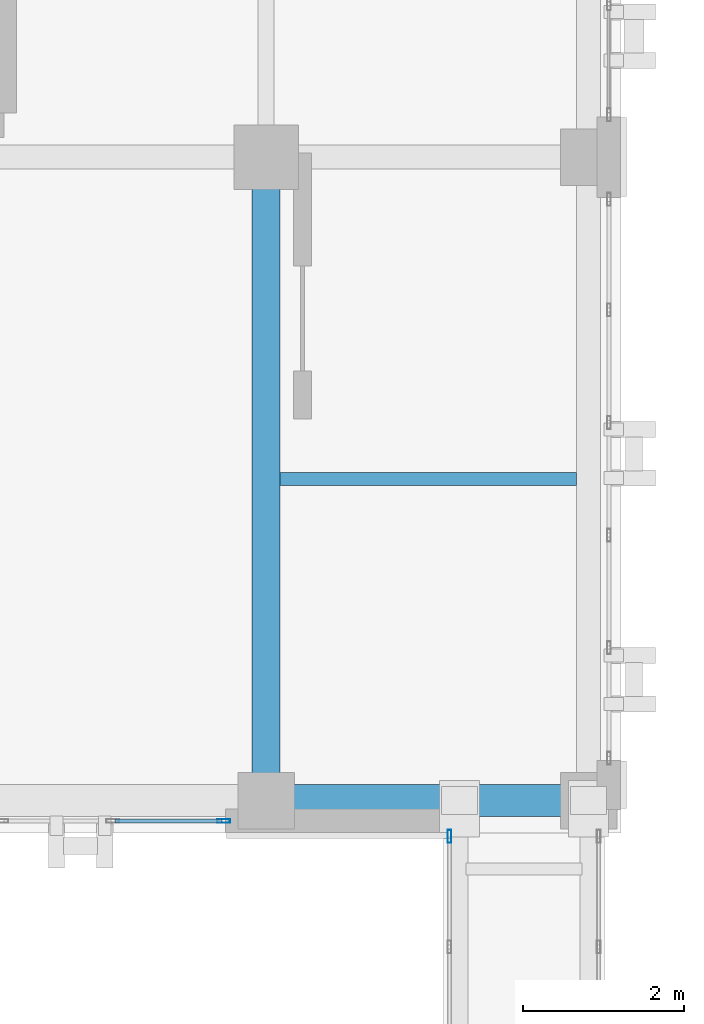
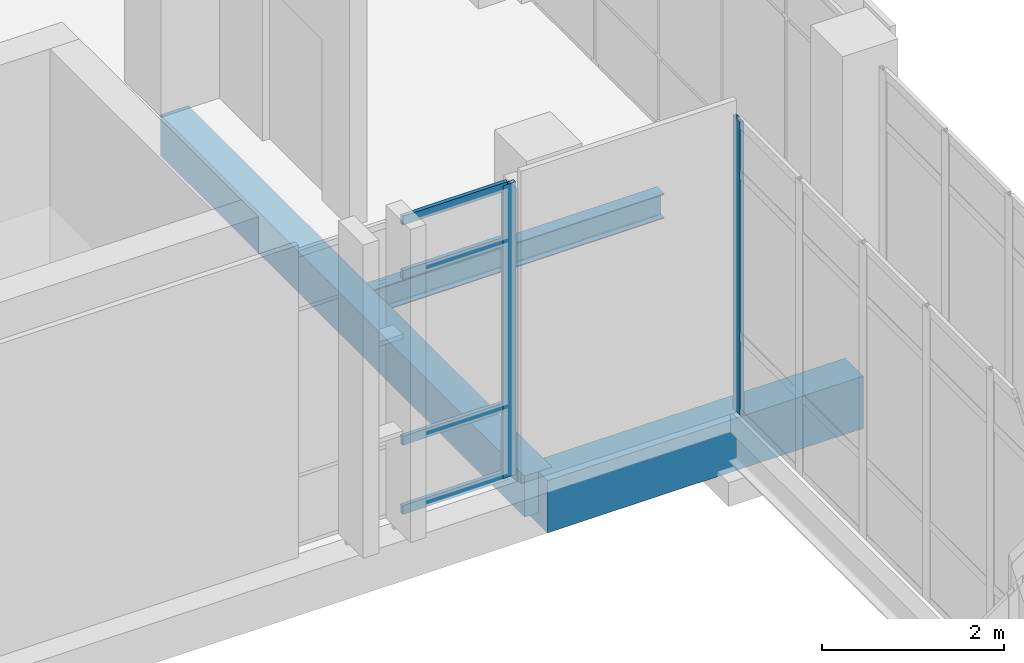
# One storey, part 23 of 165: 6 members, 3 beams, 2 elements without a shape of their own.
"""IFC4 building model written with IfcOpenShell, lengths in metres."""

from ifc_helpers import new_model, si_unit, direction, frame, origin, origin_2d, place, context, subcontext, project, spatial, rectangle, hollow_rectangle, i_section, extrude, material, layer, layer_set, material_profile, profile_set, type_object, element, aggregate, save


model = new_model("IFC4")

# Units and contexts
model_context = context("Model", 3, precision=1e-05, world=origin(), true_north=direction((0.0, 1.0)))
body_context = subcontext(model_context, "Body", "Model", "MODEL_VIEW")
ifc_project = project(units=[si_unit("LENGTHUNIT", "METRE"), si_unit("AREAUNIT", "SQUARE_METRE"), si_unit("VOLUMEUNIT", "CUBIC_METRE"), si_unit("PLANEANGLEUNIT", "RADIAN"), si_unit("MASSUNIT", "GRAM", prefix="KILO")], contexts=[model_context])

# Site, building, storey
site_placement = place(None, origin())
site = spatial("IfcSite", under=ifc_project, at=site_placement, CompositionType="ELEMENT")
building_placement = place(site_placement, origin())
building = spatial("IfcBuilding", under=site, at=building_placement, Name="Qalavern Law Courts", CompositionType="ELEMENT")
storey_placement = place(building_placement, frame((0.0, 0.0, 14.39990234375)))
storey = spatial("IfcBuildingStorey", under=building, at=storey_placement, Name="L03", CompositionType="ELEMENT", Elevation=14.39990234375)

# Curtain wall, member
ifc_material_1 = material(Name="Anodised aluminium and insulated glazing", Category="aluminium")
ifc_layer_1 = layer(ifc_material_1, 0.172119140625)
ifc_layer_set_1 = layer_set([ifc_layer_1], Name="Anodised aluminium and insulated glazing")
curtain_wall_type_1 = type_object("IfcCurtainWallType", Name="ENV-CW-COURT", PredefinedType="USERDEFINED", material=ifc_layer_set_1)
curtain_wall_1_placement = place(storey_placement, origin())
curtain_wall_1 = element("IfcCurtainWall", 1, at=curtain_wall_1_placement, inside=storey, type_object=curtain_wall_type_1, Name="V3 unitised curtain wall L03 south 1", ObjectType="UNITISED CURTAIN WALL", PredefinedType="USERDEFINED")
ifc_material_2 = material(Name="Anodised aluminium", Category="aluminium")
ifc_material_profile_1 = material_profile(ifc_material_2, hollow_rectangle(XDim=0.048095703125, YDim=0.159912109375, WallThickness=0.00390625, at=origin_2d()), Name="ALU MULLION 48x160")
ifc_profile_set_1 = profile_set([ifc_material_profile_1], Name="Anodised aluminium")
member_type_1 = type_object("IfcMemberType", Name="ENV-CWM-48x160", PredefinedType="MULLION", material=ifc_profile_set_1)
member_1_placement = place(storey_placement, frame((13.8759765625, 41.16748046875, 0.0), z_axis=(0.0, 0.0, 1.0), x_axis=(0.0, 1.0, 0.0)))
member_1 = element("IfcMember", 2, at=member_1_placement, type_object=member_type_1, Name="CW-03 mullion 3", PredefinedType="MULLION", context=body_context, shape_type="SweptSolid", body=[
    extrude(hollow_rectangle(XDim=0.048095703125, YDim=0.159912109375, WallThickness=0.00390625, at=origin_2d()), origin(), (0.0, 0.0, 1.0), 3.920166015625),
])

ifc_layer_2 = layer(ifc_material_1, 0.14990234375)
ifc_layer_set_2 = layer_set([ifc_layer_2], Name="Anodised aluminium and insulated glazing")
curtain_wall_type_2 = type_object("IfcCurtainWallType", Name="ENV-CW-BRG", PredefinedType="USERDEFINED", material=ifc_layer_set_2)
curtain_wall_2_placement = place(storey_placement, origin())
curtain_wall_2 = element("IfcCurtainWall", 3, at=curtain_wall_2_placement, inside=storey, type_object=curtain_wall_type_2, Name="Bridge BR-V1-V3 glazed curtain wall L03-1", ObjectType="UNITISED CURTAIN WALL", PredefinedType="USERDEFINED")
member_2_placement = place(storey_placement, frame((16.675048828125, 40.97607421875, 0.0), z_axis=(0.0, 0.0, 1.0), x_axis=(1.0, 0.0, 0.0)))
member_2 = element("IfcMember", 4, at=member_2_placement, type_object=member_type_1, Name="CW-06 mullion 1", PredefinedType="MULLION", context=body_context, shape_type="SweptSolid", body=[
    extrude(hollow_rectangle(XDim=0.048095703125, YDim=0.159912109375, WallThickness=0.00390625, at=origin_2d()), origin(), (0.0, 0.0, 1.0), 3.920166015625),
])
aggregate(curtain_wall_2, [member_2])

# Member
ifc_material_profile_2 = material_profile(ifc_material_2, hollow_rectangle(XDim=0.048095703125, YDim=0.1201171875, WallThickness=0.00390625, at=origin_2d()), Name="ALU TRANSOM 48x120")
ifc_profile_set_2 = profile_set([ifc_material_profile_2], Name="Anodised aluminium")
member_type_2 = type_object("IfcMemberType", Name="ENV-CWT-48x120", PredefinedType="USERDEFINED", material=ifc_profile_set_2)
member_3_placement = place(storey_placement, frame((12.52392578125, 41.16748046875, 0.024169921875), z_axis=(1.0, 0.0, 0.0), x_axis=(0.0, 1.0, 0.0)))
member_3 = element("IfcMember", 5, at=member_3_placement, type_object=member_type_2, Name="CW-03 transom 2.1", ObjectType="TRANSOM", PredefinedType="USERDEFINED", context=body_context, shape_type="SweptSolid", body=[
    extrude(hollow_rectangle(XDim=0.048095703125, YDim=0.1201171875, WallThickness=0.00390625, at=origin_2d()), origin(), (0.0, 0.0, 1.0), 1.328125),
])

member_4_placement = place(storey_placement, frame((12.52392578125, 41.16748046875, 0.9501953125), z_axis=(1.0, 0.0, 0.0), x_axis=(0.0, 1.0, 0.0)))
member_4 = element("IfcMember", 6, at=member_4_placement, type_object=member_type_2, Name="CW-03 transom 2.2", ObjectType="TRANSOM", PredefinedType="USERDEFINED", context=body_context, shape_type="SweptSolid", body=[
    extrude(hollow_rectangle(XDim=0.048095703125, YDim=0.1201171875, WallThickness=0.00390625, at=origin_2d()), origin(), (0.0, 0.0, 1.0), 1.328125),
])

member_5_placement = place(storey_placement, frame((12.52392578125, 41.16748046875, 3.170166015625), z_axis=(1.0, 0.0, 0.0), x_axis=(0.0, 1.0, 0.0)))
member_5 = element("IfcMember", 7, at=member_5_placement, type_object=member_type_2, Name="CW-03 transom 2.3", ObjectType="TRANSOM", PredefinedType="USERDEFINED", context=body_context, shape_type="SweptSolid", body=[
    extrude(hollow_rectangle(XDim=0.048095703125, YDim=0.1201171875, WallThickness=0.00390625, at=origin_2d()), origin(), (0.0, 0.0, 1.0), 1.328125),
])

member_6_placement = place(storey_placement, frame((12.52392578125, 41.16748046875, 3.89599609375), z_axis=(1.0, 0.0, 0.0), x_axis=(0.0, 1.0, 0.0)))
member_6 = element("IfcMember", 8, at=member_6_placement, type_object=member_type_2, Name="CW-03 transom 2.4", ObjectType="TRANSOM", PredefinedType="USERDEFINED", context=body_context, shape_type="SweptSolid", body=[
    extrude(hollow_rectangle(XDim=0.048095703125, YDim=0.1201171875, WallThickness=0.00390625, at=origin_2d()), origin(), (0.0, 0.0, 1.0), 1.328125),
])

aggregate(curtain_wall_1, [member_1, member_3, member_4, member_5, member_6])

# Beams
ifc_material_3 = material(Name="Concrete C35/45", Category="concrete")
ifc_material_profile_3 = material_profile(ifc_material_3, rectangle(XDim=0.35009765625, YDim=0.550048828125, at=origin_2d()), Name="RC 350x550")
ifc_profile_set_3 = profile_set([ifc_material_profile_3], Name="Concrete C35/45")
beam_type_1 = type_object("IfcBeamType", Name="STR-BM-RC350x550", PredefinedType="BEAM", material=ifc_profile_set_3)
beam_1_placement = place(storey_placement, frame((14.39990234375, 41.419921875, -0.559814453125), z_axis=(0.0, 1.0, 0.0), x_axis=(-1.0, 0.0, 0.0)))
element("IfcBeam", 9, at=beam_1_placement, inside=storey, type_object=beam_type_1, Name="V3 Y-beam 2-1 L03", PredefinedType="BEAM", context=body_context, shape_type="SweptSolid", body=[
    extrude(rectangle(XDim=0.35009765625, YDim=0.550048828125, at=origin_2d()), origin(), (0.0, 0.0, 1.0), 7.97998046875),
])
ifc_material_4 = material(Name="Steel S355", Category="steel")
ifc_material_profile_4 = material_profile(ifc_material_4, i_section(OverallWidth=0.159912109375, OverallDepth=0.330078125, WebThickness=0.007568359375, FlangeThickness=0.011474609375, FilletRadius=0.01806640625, at=origin_2d()), Name="IPE 330")
ifc_profile_set_4 = profile_set([ifc_material_profile_4], Name="Steel S355")
beam_type_2 = type_object("IfcBeamType", Name="STR-JST-IPE330", PredefinedType="JOIST", material=ifc_profile_set_4)
beam_2_placement = place(storey_placement, frame((14.572998046875, 45.409912109375, -0.449951171875), z_axis=(1.0, 0.0, 0.0), x_axis=(0.0, 1.0, 0.0)))
element("IfcBeam", 10, at=beam_2_placement, inside=storey, type_object=beam_type_2, Name="V3 secondary joist 2.1.1 L03", PredefinedType="JOIST", context=body_context, shape_type="SweptSolid", body=[
    extrude(i_section(OverallWidth=0.159912109375, OverallDepth=0.330078125, WebThickness=0.007568359375, FlangeThickness=0.011474609375, FilletRadius=0.01806640625, at=origin_2d()), origin(), (0.0, 0.0, 1.0), 3.678955078125),
])
ifc_material_5 = material(Name="Concrete C40/50", Category="concrete")
ifc_material_profile_5 = material_profile(ifc_material_5, rectangle(XDim=0.39990234375, YDim=0.699951171875, at=origin_2d()), Name="RC 400x700")
ifc_profile_set_5 = profile_set([ifc_material_profile_5], Name="Concrete C40/50")
beam_type_3 = type_object("IfcBeamType", Name="STR-SP-RC400x700", PredefinedType="SPANDREL", material=ifc_profile_set_5)
beam_3_placement = place(storey_placement, frame((14.39990234375, 41.419921875, -0.635009765625), z_axis=(1.0, 0.0, 0.0), x_axis=(0.0, 1.0, 0.0)))
element("IfcBeam", 11, at=beam_3_placement, inside=storey, type_object=beam_type_3, Name="V3 X-beam 1-2 L03", PredefinedType="SPANDREL", context=body_context, shape_type="SweptSolid", body=[
    extrude(rectangle(XDim=0.39990234375, YDim=0.699951171875, at=origin_2d()), origin(), (0.0, 0.0, 1.0), 4.0),
])

save(model, "model.ifc")
